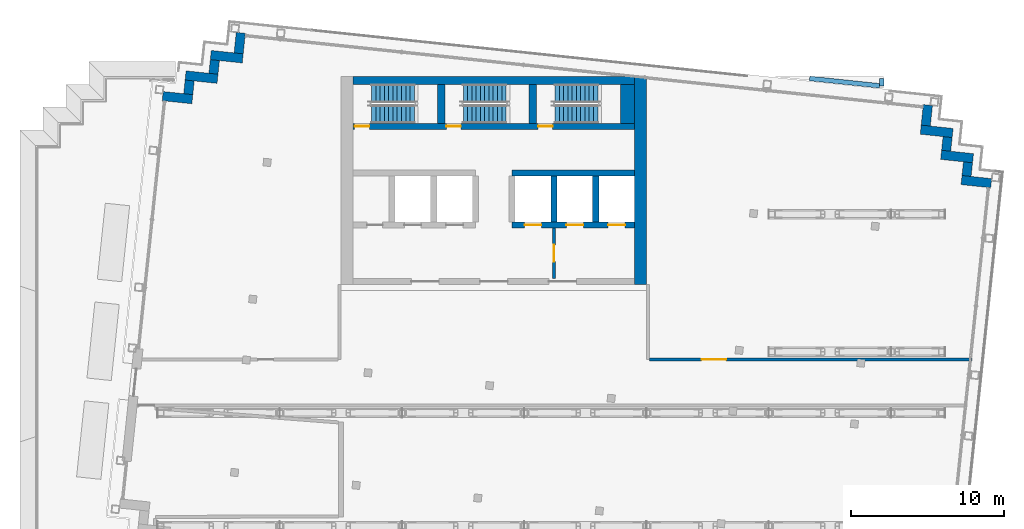
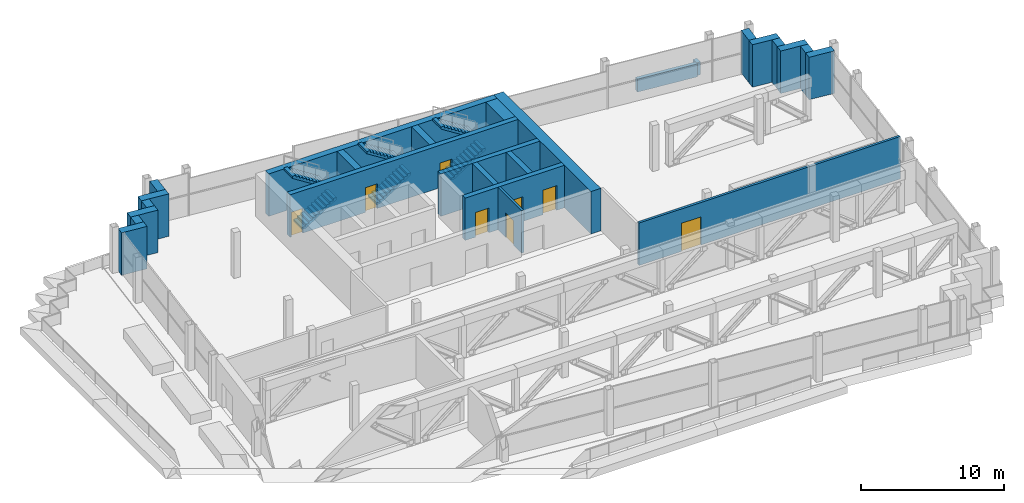
# One storey, part 8 of 18: 26 walls, 8 doors, 6 stair flights, 8 openings, 3 elements without a shape of their own.
"""IFC4 building model written with IfcOpenShell, lengths in metres."""

from ifc_helpers import new_model, si_unit, direction, frame, frame_2d, origin, place, context, subcontext, project, spatial, polyline, rectangle, outline, extrude, material, layer, layer_set, type_object, element, fill, aggregate, save


model = new_model("IFC4")

# Units and contexts
model_context = context("Model", 3, precision=1e-05, world=origin(), true_north=direction((0.0, 1.0)))
body_context = subcontext(model_context, "Body", "Model", "MODEL_VIEW")
ifc_project = project(units=[si_unit("LENGTHUNIT", "METRE"), si_unit("AREAUNIT", "SQUARE_METRE"), si_unit("VOLUMEUNIT", "CUBIC_METRE"), si_unit("PLANEANGLEUNIT", "RADIAN"), si_unit("MASSUNIT", "GRAM", prefix="KILO")], contexts=[model_context])

# Site, building, storey
site_placement = place(None, origin())
site = spatial("IfcSite", under=ifc_project, at=site_placement, CompositionType="ELEMENT")
building_placement = place(site_placement, origin())
building = spatial("IfcBuilding", under=site, at=building_placement, Name="Vidyagriha Tower", CompositionType="ELEMENT")
storey_placement = place(building_placement, frame((0.0, 0.0, 249.199951171875)))
storey = spatial("IfcBuildingStorey", under=building, at=storey_placement, Name="L64", CompositionType="ELEMENT", Elevation=249.199951171875)

# Walls
ifc_material_1 = material(Name="Precast concrete C40/50 with brick facing", Category="concrete")
ifc_layer_1 = layer(ifc_material_1, 0.300048828125)
ifc_layer_set_1 = layer_set([ifc_layer_1], Name="Precast concrete C40/50 with brick facing")
wall_type_1 = type_object("IfcWallType", Name="Brick parapet wall 300", PredefinedType="PARAPET", material=ifc_layer_set_1)
wall_1_placement = place(storey_placement, frame((25.3798828125, 19.8798828125, 0.0), z_axis=(0.0, 0.0, 1.0), x_axis=(0.0, -1.0, 0.0)))
element("IfcWall", 1, at=wall_1_placement, inside=storey, type_object=wall_type_1, Name="Roof parapet TR-B6-2 1.1", PredefinedType="PARAPET", context=body_context, shape_type="SweptSolid", body=[
    extrude(rectangle(XDim=0.495849609375, YDim=0.300048828125, at=frame_2d((0.248046875, 0.0))), origin(), (0.0, 0.0, 1.0), 1.10009765625),
])
wall_2_placement = place(storey_placement, frame((25.230712890625, 19.399658203125, 0.0), z_axis=(0.0, 0.0, 1.0), x_axis=(-0.994523779096, 0.104510539239, 0.0)))
element("IfcWall", 2, at=wall_2_placement, inside=storey, type_object=wall_type_1, Name="Roof parapet TR-B6-2 1.2", PredefinedType="PARAPET", context=body_context, shape_type="SweptSolid", body=[
    extrude(rectangle(XDim=4.594970703125, YDim=0.300048828125, at=frame_2d((2.29736328125, 0.0))), origin(), (0.0, 0.0, 1.0), 1.10009765625),
])
ifc_material_2 = material(Name="Precast concrete C40/50 with brick facing", Category="concrete")
ifc_layer_2 = layer(ifc_material_2, 0.60009765625)
ifc_layer_set_2 = layer_set([ifc_layer_2], Name="Precast concrete C40/50 with brick facing")
wall_type_2 = type_object("IfcWallType", Name="Brick-faced precast wall 600", PredefinedType="STANDARD", material=ifc_layer_set_2)
wall_3_placement = place(storey_placement, frame((32.536376953125, 13.03125, 0.0), z_axis=(0.0, 0.0, 1.0), x_axis=(-0.994534226826, 0.104411070641, 0.0)))
element("IfcWall", 3, at=wall_3_placement, inside=storey, type_object=wall_type_2, Name="Stepped corner wall L64 R01", PredefinedType="STANDARD", context=body_context, shape_type="SweptSolid", body=[
    extrude(rectangle(XDim=1.9501953125, YDim=0.60009765625, at=frame_2d((0.97509765625, 0.0))), origin(), (0.0, 0.0, 1.0), 3.6201171875),
])
wall_4_placement = place(storey_placement, frame((30.9267578125, 13.501953125, 0.0), z_axis=(0.0, 0.0, 1.0), x_axis=(0.104416541099, 0.994533652495, 0.0)))
element("IfcWall", 4, at=wall_4_placement, inside=storey, type_object=wall_type_2, Name="Stepped corner wall L64 R02", PredefinedType="STANDARD", context=body_context, shape_type="SweptSolid", body=[
    extrude(rectangle(XDim=0.900146484375, YDim=0.60009765625, at=frame_2d((0.4501953125, 0.0))), origin(), (0.0, 0.0, 1.0), 3.6201171875),
])
wall_5_placement = place(storey_placement, frame((31.3505859375, 14.6640625, 0.0), z_axis=(0.0, 0.0, 1.0), x_axis=(-0.994523910136, 0.104509292252, 0.0)))
element("IfcWall", 5, at=wall_5_placement, inside=storey, type_object=wall_type_2, Name="Stepped corner wall L64 R03", PredefinedType="STANDARD", context=body_context, shape_type="SweptSolid", body=[
    extrude(rectangle(XDim=2.10009765625, YDim=0.60009765625, at=frame_2d((1.050048828125, 0.0))), origin(), (0.0, 0.0, 1.0), 3.6201171875),
])
wall_6_placement = place(storey_placement, frame((29.591796875, 15.150634765625, 0.0), z_axis=(0.0, 0.0, 1.0), x_axis=(0.104444712852, 0.994530694326, 0.0)))
element("IfcWall", 6, at=wall_6_placement, inside=storey, type_object=wall_type_2, Name="Stepped corner wall L64 R04", PredefinedType="STANDARD", context=body_context, shape_type="SweptSolid", body=[
    extrude(rectangle(XDim=0.89990234375, YDim=0.60009765625, at=frame_2d((0.449951171875, 0.0))), origin(), (0.0, 0.0, 1.0), 3.6201171875),
])
wall_7_placement = place(storey_placement, frame((30.015380859375, 16.3125, 0.0), z_axis=(0.0, 0.0, 1.0), x_axis=(-0.994510548187, 0.104636368175, 0.0)))
element("IfcWall", 7, at=wall_7_placement, inside=storey, type_object=wall_type_2, Name="Stepped corner wall L64 R05", PredefinedType="STANDARD", context=body_context, shape_type="SweptSolid", body=[
    extrude(rectangle(XDim=2.099853515625, YDim=0.60009765625, at=frame_2d((1.0498046875, 0.0))), origin(), (0.0, 0.0, 1.0), 3.6201171875),
])
wall_8_placement = place(storey_placement, frame((28.256591796875, 16.79931640625, 0.0), z_axis=(0.0, 0.0, 1.0), x_axis=(0.104534153452, 0.994521297289, 0.0)))
element("IfcWall", 8, at=wall_8_placement, inside=storey, type_object=wall_type_2, Name="Stepped corner wall L64 R06", PredefinedType="STANDARD", context=body_context, shape_type="SweptSolid", body=[
    extrude(rectangle(XDim=1.349853515625, YDim=0.60009765625, at=frame_2d((0.6748046875, 0.0))), origin(), (0.0, 0.0, 1.0), 3.6201171875),
])
wall_9_placement = place(storey_placement, frame((-16.5546875, 22.866455078125, 0.0), z_axis=(0.0, 0.0, 1.0), x_axis=(-0.104515354875, -0.994523273029, 0.0)))
element("IfcWall", 9, at=wall_9_placement, inside=storey, type_object=wall_type_2, Name="Stepped corner wall L64 R08", PredefinedType="STANDARD", context=body_context, shape_type="SweptSolid", body=[
    extrude(rectangle(XDim=1.35009765625, YDim=0.60009765625, at=frame_2d((0.675048828125, 0.0))), origin(), (0.0, 0.0, 1.0), 3.6201171875),
])
wall_10_placement = place(storey_placement, frame((-16.4287109375, 21.194091796875, 0.0), z_axis=(0.0, 0.0, 1.0), x_axis=(-0.994522640205, 0.104521376379, 0.0)))
element("IfcWall", 10, at=wall_10_placement, inside=storey, type_object=wall_type_2, Name="Stepped corner wall L64 R09", PredefinedType="STANDARD", context=body_context, shape_type="SweptSolid", body=[
    extrude(rectangle(XDim=2.099853515625, YDim=0.60009765625, at=frame_2d((1.0498046875, 0.0))), origin(), (0.0, 0.0, 1.0), 3.6201171875),
])
wall_11_placement = place(storey_placement, frame((-18.250244140625, 21.083984375, 0.0), z_axis=(0.0, 0.0, 1.0), x_axis=(-0.104416541099, -0.994533652495, 0.0)))
element("IfcWall", 11, at=wall_11_placement, inside=storey, type_object=wall_type_2, Name="Stepped corner wall L64 R10", PredefinedType="STANDARD", context=body_context, shape_type="SweptSolid", body=[
    extrude(rectangle(XDim=0.900146484375, YDim=0.60009765625, at=frame_2d((0.4501953125, 0.0))), origin(), (0.0, 0.0, 1.0), 3.6201171875),
])
wall_12_placement = place(storey_placement, frame((-18.077392578125, 19.859130859375, 0.0), z_axis=(0.0, 0.0, 1.0), x_axis=(-0.994522640205, 0.104521376379, 0.0)))
element("IfcWall", 12, at=wall_12_placement, inside=storey, type_object=wall_type_2, Name="Stepped corner wall L64 R11", PredefinedType="STANDARD", context=body_context, shape_type="SweptSolid", body=[
    extrude(rectangle(XDim=2.099853515625, YDim=0.60009765625, at=frame_2d((1.0498046875, 0.0))), origin(), (0.0, 0.0, 1.0), 3.6201171875),
])
wall_13_placement = place(storey_placement, frame((-19.898681640625, 19.748779296875, 0.0), z_axis=(0.0, 0.0, 1.0), x_axis=(-0.104741284723, -0.994499503909, 0.0)))
element("IfcWall", 13, at=wall_13_placement, inside=storey, type_object=wall_type_2, Name="Stepped corner wall L64 R12", PredefinedType="STANDARD", context=body_context, shape_type="SweptSolid", body=[
    extrude(rectangle(XDim=0.899658203125, YDim=0.60009765625, at=frame_2d((0.44970703125, 0.0))), origin(), (0.0, 0.0, 1.0), 3.6201171875),
])
wall_14_placement = place(storey_placement, frame((-19.725830078125, 18.5244140625, 0.0), z_axis=(0.0, 0.0, 1.0), x_axis=(-0.994534226826, 0.104411070641, 0.0)))
element("IfcWall", 14, at=wall_14_placement, inside=storey, type_object=wall_type_2, Name="Stepped corner wall L64 R13", PredefinedType="STANDARD", context=body_context, shape_type="SweptSolid", body=[
    extrude(rectangle(XDim=1.9501953125, YDim=0.60009765625, at=frame_2d((0.97509765625, 0.0))), origin(), (0.0, 0.0, 1.0), 3.6201171875),
])

# Wall, openings, doors
ifc_material_3 = material(Name="Concrete C60/75", Category="concrete")
ifc_layer_3 = layer(ifc_material_3, 0.39990234375)
ifc_layer_set_3 = layer_set([ifc_layer_3], Name="Concrete C60/75")
wall_type_3 = type_object("IfcWallType", Name="Core shear wall 400 mm", PredefinedType="SHEAR", material=ifc_layer_set_3)
wall_15_placement = place(storey_placement, frame((1.199951171875, 10.300048828125, 0.0)))
wall_15 = element("IfcWall", 15, at=wall_15_placement, inside=storey, type_object=wall_type_3, Name="Core row N front wall", PredefinedType="SHEAR", context=body_context, shape_type="SweptSolid", body=[
    extrude(rectangle(XDim=8.0, YDim=0.39990234375, at=frame_2d((4.0, 0.0))), origin(), (0.0, 0.0, 1.0), 3.6201171875),
])
opening_1_placement = place(wall_15_placement, frame((0.816650390625, 0.0, 0.0)))
opening_1 = element("IfcOpeningElement", 16, at=opening_1_placement, cuts=wall_15, Name="Opening LD64-03", PredefinedType="OPENING", context=body_context, shape_type="SweptSolid", body=[
    extrude(rectangle(XDim=1.10009765625, YDim=2.10009765625, at=frame_2d((0.550048828125, 1.050048828125))), frame((0.0, 0.2099609375, 0.0), z_axis=(0.0, -1.0, 0.0), x_axis=(1.0, 0.0, 0.0)), (0.0, 0.0, 1.0), 0.419921875),
])
opening_2_placement = place(wall_15_placement, frame((3.550048828125, 0.0, 0.0)))
opening_2 = element("IfcOpeningElement", 17, at=opening_2_placement, cuts=wall_15, Name="Opening LD64-04", PredefinedType="OPENING", context=body_context, shape_type="SweptSolid", body=[
    extrude(rectangle(XDim=1.10009765625, YDim=2.10009765625, at=frame_2d((0.550048828125, 1.050048828125))), frame((0.0, 0.2099609375, 0.0), z_axis=(0.0, -1.0, 0.0), x_axis=(1.0, 0.0, 0.0)), (0.0, 0.0, 1.0), 0.419921875),
])
opening_3_placement = place(wall_15_placement, frame((6.283203125, 0.0, 0.0)))
opening_3 = element("IfcOpeningElement", 18, at=opening_3_placement, cuts=wall_15, Name="Opening LD64-05", PredefinedType="OPENING", context=body_context, shape_type="SweptSolid", body=[
    extrude(rectangle(XDim=1.10009765625, YDim=2.10009765625, at=frame_2d((0.550048828125, 1.050048828125))), frame((0.0, 0.2099609375, 0.0), z_axis=(0.0, -1.0, 0.0), x_axis=(1.0, 0.0, 0.0)), (0.0, 0.0, 1.0), 0.419921875),
])
ifc_material_4 = material(Name="Stainless steel sliding door panel", Category="steel")
door_type_1 = type_object("IfcDoorType", Name="Lift landing door 1100 x 2100 mm EI 90", OperationType="NOTDEFINED", PredefinedType="DOOR", material=ifc_material_4)
door_1_placement = place(opening_1_placement, origin())
door_1 = element("IfcDoor", 19, at=door_1_placement, inside=storey, type_object=door_type_1, Name="Landing door HR3 L64", OperationType="SLIDING_TO_LEFT", OverallHeight=2.10009765625, OverallWidth=1.10009765625, PredefinedType="DOOR", context=body_context, shape_type="SweptSolid", body=[
    extrude(rectangle(XDim=1.10009765625, YDim=2.10009765625, at=frame_2d((0.550048828125, 1.050048828125))), frame((0.0, 0.02490234375, 0.0), z_axis=(0.0, -1.0, 0.0), x_axis=(1.0, 0.0, 0.0)), (0.0, 0.0, 1.0), 0.050048828125),
])
fill(opening_1, door_1)
door_2_placement = place(opening_2_placement, origin())
door_2 = element("IfcDoor", 20, at=door_2_placement, inside=storey, type_object=door_type_1, Name="Landing door FF1 L64", OperationType="SLIDING_TO_LEFT", OverallHeight=2.10009765625, OverallWidth=1.10009765625, PredefinedType="DOOR", context=body_context, shape_type="SweptSolid", body=[
    extrude(rectangle(XDim=1.10009765625, YDim=2.10009765625, at=frame_2d((0.550048828125, 1.050048828125))), frame((0.0, 0.02490234375, 0.0), z_axis=(0.0, -1.0, 0.0), x_axis=(1.0, 0.0, 0.0)), (0.0, 0.0, 1.0), 0.050048828125),
])
fill(opening_2, door_2)
door_3_placement = place(opening_3_placement, origin())
door_3 = element("IfcDoor", 21, at=door_3_placement, inside=storey, type_object=door_type_1, Name="Landing door FF2 L64", OperationType="SLIDING_TO_LEFT", OverallHeight=2.10009765625, OverallWidth=1.10009765625, PredefinedType="DOOR", context=body_context, shape_type="SweptSolid", body=[
    extrude(rectangle(XDim=1.10009765625, YDim=2.10009765625, at=frame_2d((0.550048828125, 1.050048828125))), frame((0.0, 0.02490234375, 0.0), z_axis=(0.0, -1.0, 0.0), x_axis=(1.0, 0.0, 0.0)), (0.0, 0.0, 1.0), 0.050048828125),
])
fill(opening_3, door_3)

# Walls
wall_16_placement = place(storey_placement, frame((1.199951171875, 13.699951171875, 0.0)))
element("IfcWall", 22, at=wall_16_placement, inside=storey, type_object=wall_type_3, Name="Core row N rear wall", PredefinedType="SHEAR", context=body_context, shape_type="SweptSolid", body=[
    extrude(rectangle(XDim=8.0, YDim=0.39990234375, at=frame_2d((4.0, 0.0))), origin(), (0.0, 0.0, 1.0), 3.6201171875),
])
for number, where, z_axis, x_axis, name in (
    (23, (3.933349609375, 10.5, 0.0), (0.0, 0.0, 1.0), (0.0, 1.0, 0.0), "Core bay wall N5"),
    (24, (6.666748046875, 10.5, 0.0), (0.0, 0.0, 1.0), (0.0, 1.0, 0.0), "Core bay wall N6"),
):
    element("IfcWall", number, at=place(storey_placement, frame(where, z_axis=z_axis, x_axis=x_axis)), inside=storey, type_object=wall_type_3, Name=name, PredefinedType="SHEAR", context=body_context, shape_type="SweptSolid", body=[
        extrude(rectangle(XDim=3.0, YDim=0.39990234375, at=frame_2d((1.5, 0.0))), origin(), (0.0, 0.0, 1.0), 3.6201171875),
    ])

# Wall, openings, doors
wall_17_placement = place(storey_placement, frame((-9.199951171875, 16.75, 0.0)))
wall_17 = element("IfcWall", 25, at=wall_17_placement, inside=storey, type_object=wall_type_3, Name="Stair front wall", PredefinedType="SHEAR", context=body_context, shape_type="SweptSolid", body=[
    extrude(rectangle(XDim=18.39990234375, YDim=0.39990234375, at=frame_2d((9.199951171875, 0.0))), origin(), (0.0, 0.0, 1.0), 3.6201171875),
])
opening_4_placement = place(wall_17_placement, frame((0.10009765625, 0.0, 0.0)))
opening_4 = element("IfcOpeningElement", 26, at=opening_4_placement, cuts=wall_17, Name="Opening D64-07", PredefinedType="OPENING", context=body_context, shape_type="SweptSolid", body=[
    extrude(rectangle(XDim=0.949951171875, YDim=2.10009765625, at=frame_2d((0.47509765625, 1.050048828125))), frame((0.0, 0.2099609375, 0.0), z_axis=(0.0, -1.0, 0.0), x_axis=(1.0, 0.0, 0.0)), (0.0, 0.0, 1.0), 0.419921875),
])
opening_5_placement = place(wall_17_placement, frame((6.10009765625, 0.0, 0.0)))
opening_5 = element("IfcOpeningElement", 27, at=opening_5_placement, cuts=wall_17, Name="Opening D64-08", PredefinedType="OPENING", context=body_context, shape_type="SweptSolid", body=[
    extrude(rectangle(XDim=0.949951171875, YDim=2.10009765625, at=frame_2d((0.47509765625, 1.050048828125))), frame((0.0, 0.2099609375, 0.0), z_axis=(0.0, -1.0, 0.0), x_axis=(1.0, 0.0, 0.0)), (0.0, 0.0, 1.0), 0.419921875),
])
opening_6_placement = place(wall_17_placement, frame((12.10009765625, 0.0, 0.0)))
opening_6 = element("IfcOpeningElement", 28, at=opening_6_placement, cuts=wall_17, Name="Opening D64-09", PredefinedType="OPENING", context=body_context, shape_type="SweptSolid", body=[
    extrude(rectangle(XDim=0.949951171875, YDim=2.10009765625, at=frame_2d((0.47509765625, 1.050048828125))), frame((0.0, 0.2099609375, 0.0), z_axis=(0.0, -1.0, 0.0), x_axis=(1.0, 0.0, 0.0)), (0.0, 0.0, 1.0), 0.419921875),
])
ifc_material_5 = material(Name="Hollow metal door leaf")
door_type_2 = type_object("IfcDoorType", Name="Exit stair door 950 x 2100 mm EI 90", OperationType="NOTDEFINED", PredefinedType="DOOR", material=ifc_material_5)
door_4_placement = place(opening_4_placement, origin())
door_4 = element("IfcDoor", 29, at=door_4_placement, inside=storey, type_object=door_type_2, Name="Stair door ST1 L64", OperationType="SINGLE_SWING_LEFT", OverallHeight=2.10009765625, OverallWidth=0.949951171875, PredefinedType="DOOR", context=body_context, shape_type="SweptSolid", body=[
    extrude(rectangle(XDim=0.949951171875, YDim=2.10009765625, at=frame_2d((0.47509765625, 1.050048828125))), frame((0.0, 0.02490234375, 0.0), z_axis=(0.0, -1.0, 0.0), x_axis=(1.0, 0.0, 0.0)), (0.0, 0.0, 1.0), 0.050048828125),
])
fill(opening_4, door_4)
door_5_placement = place(opening_5_placement, origin())
door_5 = element("IfcDoor", 30, at=door_5_placement, inside=storey, type_object=door_type_2, Name="Stair door ST2 L64", OperationType="SINGLE_SWING_LEFT", OverallHeight=2.10009765625, OverallWidth=0.949951171875, PredefinedType="DOOR", context=body_context, shape_type="SweptSolid", body=[
    extrude(rectangle(XDim=0.949951171875, YDim=2.10009765625, at=frame_2d((0.47509765625, 1.050048828125))), frame((0.0, 0.02490234375, 0.0), z_axis=(0.0, -1.0, 0.0), x_axis=(1.0, 0.0, 0.0)), (0.0, 0.0, 1.0), 0.050048828125),
])
fill(opening_5, door_5)
door_6_placement = place(opening_6_placement, origin())
door_6 = element("IfcDoor", 31, at=door_6_placement, inside=storey, type_object=door_type_2, Name="Stair door ST3 L64", OperationType="SINGLE_SWING_LEFT", OverallHeight=2.10009765625, OverallWidth=0.949951171875, PredefinedType="DOOR", context=body_context, shape_type="SweptSolid", body=[
    extrude(rectangle(XDim=0.949951171875, YDim=2.10009765625, at=frame_2d((0.47509765625, 1.050048828125))), frame((0.0, 0.02490234375, 0.0), z_axis=(0.0, -1.0, 0.0), x_axis=(1.0, 0.0, 0.0)), (0.0, 0.0, 1.0), 0.050048828125),
])
fill(opening_6, door_6)

# Walls
ifc_material_6 = material(Name="Concrete C60/75", Category="concrete")
ifc_layer_4 = layer(ifc_material_6, 0.5)
ifc_layer_set_4 = layer_set([ifc_layer_4], Name="Concrete C60/75")
wall_type_4 = type_object("IfcWallType", Name="Core shear wall 500 mm", PredefinedType="SHEAR", material=ifc_layer_set_4)
wall_18_placement = place(storey_placement, frame((-9.199951171875, 19.75, 0.0)))
element("IfcWall", 32, at=wall_18_placement, inside=storey, type_object=wall_type_4, Name="Core north wall", PredefinedType="SHEAR", context=body_context, shape_type="SweptSolid", body=[
    extrude(rectangle(XDim=18.39990234375, YDim=0.5, at=frame_2d((9.199951171875, 0.0))), origin(), (0.0, 0.0, 1.0), 3.6201171875),
])
for number, where, z_axis, x_axis, name in (
    (33, (-3.449951171875, 16.949951171875, 0.0), (0.0, 0.0, 1.0), (0.0, 1.0, 0.0), "Stair partition wall 1"),
    (34, (2.550048828125, 16.949951171875, 0.0), (0.0, 0.0, 1.0), (0.0, 1.0, 0.0), "Stair partition wall 2"),
):
    element("IfcWall", number, at=place(storey_placement, frame(where, z_axis=z_axis, x_axis=x_axis)), inside=storey, type_object=wall_type_4, Name=name, PredefinedType="SHEAR", context=body_context, shape_type="SweptSolid", body=[
        extrude(rectangle(XDim=2.550048828125, YDim=0.5, at=frame_2d((1.27490234375, 0.0))), origin(), (0.0, 0.0, 1.0), 3.6201171875),
    ])
ifc_material_7 = material(Name="Concrete C60/75", Category="concrete")
ifc_layer_5 = layer(ifc_material_7, 0.800048828125)
ifc_layer_set_5 = layer_set([ifc_layer_5], Name="Concrete C60/75")
wall_type_5 = type_object("IfcWallType", Name="Core shear wall 800 mm", PredefinedType="SHEAR", material=ifc_layer_set_5)
wall_19_placement = place(storey_placement, frame((9.60009765625, 6.39990234375, 0.0), z_axis=(0.0, 0.0, 1.0), x_axis=(0.0, 1.0, 0.0)))
element("IfcWall", 35, at=wall_19_placement, inside=storey, type_object=wall_type_5, Name="Core east wall", PredefinedType="SHEAR", context=body_context, shape_type="SweptSolid", body=[
    extrude(rectangle(XDim=13.60009765625, YDim=0.800048828125, at=frame_2d((6.800048828125, 0.0))), origin(), (0.0, 0.0, 1.0), 3.6201171875),
])
ifc_material_8 = material(Name="Concrete C60/75", Category="concrete")
ifc_layer_6 = layer(ifc_material_8, 0.89990234375)
ifc_layer_set_6 = layer_set([ifc_layer_6], Name="Concrete C60/75")
wall_type_6 = type_object("IfcWallType", Name="Core shear wall 900 mm", PredefinedType="SHEAR", material=ifc_layer_set_6)
wall_20_placement = place(storey_placement, frame((8.75, 16.949951171875, 0.0), z_axis=(0.0, 0.0, 1.0), x_axis=(0.0, 1.0, 0.0)))
element("IfcWall", 36, at=wall_20_placement, inside=storey, type_object=wall_type_6, Name="Stair end wall", PredefinedType="SHEAR", context=body_context, shape_type="SweptSolid", body=[
    extrude(rectangle(XDim=2.550048828125, YDim=0.89990234375, at=frame_2d((1.27490234375, 0.0))), origin(), (0.0, 0.0, 1.0), 3.6201171875),
])

# Wall, opening, door
ifc_material_9 = material(Name="Blockwork 15 MPa", Category="masonry")
ifc_layer_7 = layer(ifc_material_9, 0.199951171875)
ifc_layer_set_7 = layer_set([ifc_layer_7], Name="Blockwork 15 MPa")
wall_type_7 = type_object("IfcWallType", Name="Service room partition 200 mm", PredefinedType="PARTITIONING", material=ifc_layer_set_7)
wall_21_placement = place(storey_placement, frame((3.933349609375, 6.800048828125, 0.0), z_axis=(0.0, 0.0, 1.0), x_axis=(0.0, 1.0, 0.0)))
wall_21 = element("IfcWall", 37, at=wall_21_placement, inside=storey, type_object=wall_type_7, Name="Fire-fighting lobby west wall", PredefinedType="PARTITIONING", context=body_context, shape_type="SweptSolid", body=[
    extrude(rectangle(XDim=3.300048828125, YDim=0.199951171875, at=frame_2d((1.64990234375, 0.0))), origin(), (0.0, 0.0, 1.0), 3.6201171875),
])
opening_7_placement = place(wall_21_placement, frame((1.10009765625, 0.0, 0.0)))
opening_7 = element("IfcOpeningElement", 38, at=opening_7_placement, cuts=wall_21, Name="Opening D64-06", PredefinedType="OPENING", context=body_context, shape_type="SweptSolid", body=[
    extrude(rectangle(XDim=1.10009765625, YDim=2.10009765625, at=frame_2d((0.550048828125, 1.050048828125))), frame((0.0, 0.10986328125, 0.0), z_axis=(0.0, -1.0, 0.0), x_axis=(1.0, 0.0, 0.0)), (0.0, 0.0, 1.0), 0.219970703125),
])
ifc_material_10 = material(Name="Hollow metal door leaf")
door_type_3 = type_object("IfcDoorType", Name="Fire-fighting lobby door 1100 x 2100 mm EI 90", OperationType="NOTDEFINED", PredefinedType="DOOR", material=ifc_material_10)
door_7_placement = place(opening_7_placement, origin())
door_7 = element("IfcDoor", 39, at=door_7_placement, inside=storey, type_object=door_type_3, Name="Fire-fighting lobby door L64", OperationType="SINGLE_SWING_RIGHT", OverallHeight=2.10009765625, OverallWidth=1.10009765625, PredefinedType="DOOR", context=body_context, shape_type="SweptSolid", body=[
    extrude(rectangle(XDim=1.10009765625, YDim=2.10009765625, at=frame_2d((0.550048828125, 1.050048828125))), frame((0.0, 0.02490234375, 0.0), z_axis=(0.0, -1.0, 0.0), x_axis=(1.0, 0.0, 0.0)), (0.0, 0.0, 1.0), 0.050048828125),
])
fill(opening_7, door_7)

wall_22_placement = place(storey_placement, frame((10.199951171875, 1.5, 0.0)))
wall_22 = element("IfcWall", 40, at=wall_22_placement, inside=storey, type_object=wall_type_7, Name="Plant corridor north wall east", PredefinedType="PARTITIONING", context=body_context, shape_type="SweptSolid", body=[
    extrude(rectangle(XDim=21.073974609375, YDim=0.199951171875, at=frame_2d((10.537109375, 0.0))), origin(), (0.0, 0.0, 1.0), 3.6201171875),
])
opening_8_placement = place(wall_22_placement, frame((3.39990234375, 0.0, 0.0)))
opening_8 = element("IfcOpeningElement", 41, at=opening_8_placement, cuts=wall_22, Name="Opening D64-12", PredefinedType="OPENING", context=body_context, shape_type="SweptSolid", body=[
    extrude(rectangle(XDim=1.60009765625, YDim=2.39990234375, at=frame_2d((0.800048828125, 1.199951171875))), frame((0.0, 0.10986328125, 0.0), z_axis=(0.0, -1.0, 0.0), x_axis=(1.0, 0.0, 0.0)), (0.0, 0.0, 1.0), 0.219970703125),
])
ifc_material_11 = material(Name="Hollow metal door leaf")
door_type_4 = type_object("IfcDoorType", Name="Plant room double door 1600 x 2400 mm EI 90", OperationType="NOTDEFINED", PredefinedType="DOOR", material=ifc_material_11)
door_8_placement = place(opening_8_placement, frame((1.60009765625, 0.0, 0.0), z_axis=(0.0, 0.0, 1.0), x_axis=(-1.0, 0.0, 0.0)))
door_8 = element("IfcDoor", 42, at=door_8_placement, inside=storey, type_object=door_type_4, Name="Door Smoke Extract Plant Room 64.E1", OperationType="DOUBLE_DOOR_SINGLE_SWING", OverallHeight=2.39990234375, OverallWidth=1.60009765625, PredefinedType="DOOR", context=body_context, shape_type="SweptSolid", body=[
    extrude(rectangle(XDim=1.60009765625, YDim=2.39990234375, at=frame_2d((0.800048828125, 1.199951171875))), frame((0.0, 0.02490234375, 0.0), z_axis=(0.0, -1.0, 0.0), x_axis=(1.0, 0.0, 0.0)), (0.0, 0.0, 1.0), 0.050048828125),
])
fill(opening_8, door_8)

# Stair, stair flights
ifc_material_12 = material(Name="Concrete C40/50", Category="concrete")
stair_type = type_object("IfcStairType", Name="Exit stair, half-turn, precast flights", PredefinedType="HALF_TURN_STAIR", material=ifc_material_12)
stair_1_placement = place(storey_placement, origin())
stair_1 = element("IfcStair", 43, at=stair_1_placement, inside=storey, type_object=stair_type, Name="L64 Exit Stair ST1", PredefinedType="HALF_TURN_STAIR")
ifc_material_13 = material(Name="Precast concrete C40/50", Category="concrete")
stair_flight_type = type_object("IfcStairFlightType", Name="Exit stair flight 1200 mm, precast", PredefinedType="STRAIGHT", material=ifc_material_13)
stair_flight_1_placement = place(storey_placement, frame((-8.0, 17.550048828125, 0.0)))
stair_flight_1 = element("IfcStairFlight", 44, at=stair_flight_1_placement, type_object=stair_flight_type, Name="ST1 flight 1", NumberOfRisers=11, NumberOfTreads=10, PredefinedType="STRAIGHT", RiserHeight=0.177272727, TreadLength=0.28, context=body_context, shape_type="SweptSolid", body=[
    extrude(outline(polyline([(0.0, 0.0), (0.0, 0.17724609375), (0.280029296875, 0.17724609375), (0.280029296875, 0.3544921875), (0.56005859375, 0.3544921875), (0.56005859375, 0.53173828125), (0.840087890625, 0.53173828125), (0.840087890625, 0.708984375), (1.1201171875, 0.708984375), (1.1201171875, 0.886474609375), (1.39990234375, 0.886474609375), (1.39990234375, 1.063720703125), (1.679931640625, 1.063720703125), (1.679931640625, 1.240966796875), (1.9599609375, 1.240966796875), (1.9599609375, 1.418212890625), (2.239990234375, 1.418212890625), (2.239990234375, 1.595458984375), (2.52001953125, 1.595458984375), (2.52001953125, 1.772705078125), (2.800048828125, 1.772705078125), (2.800048828125, 1.949951171875), (2.800048828125, 1.59521484375), (0.2802734375, 0.0), (0.0, 0.0)])), frame((0.0, 0.60009765625, 0.0), z_axis=(0.0, -1.0, 0.0), x_axis=(1.0, 0.0, 0.0)), (0.0, 0.0, 1.0), 1.199951171875),
])
stair_flight_2_placement = place(storey_placement, frame((-5.199951171875, 18.89990234375, 1.949951171875), z_axis=(0.0, 0.0, 1.0), x_axis=(-1.0, 0.0, 0.0)))
stair_flight_2 = element("IfcStairFlight", 45, at=stair_flight_2_placement, type_object=stair_flight_type, Name="ST1 flight 2", NumberOfRisers=11, NumberOfTreads=10, PredefinedType="STRAIGHT", RiserHeight=0.177272727, TreadLength=0.28, context=body_context, shape_type="SweptSolid", body=[
    extrude(outline(polyline([(0.0, 0.0), (0.0, 0.17724609375), (0.280029296875, 0.17724609375), (0.280029296875, 0.3544921875), (0.56005859375, 0.3544921875), (0.56005859375, 0.53173828125), (0.840087890625, 0.53173828125), (0.840087890625, 0.708984375), (1.1201171875, 0.708984375), (1.1201171875, 0.886474609375), (1.39990234375, 0.886474609375), (1.39990234375, 1.063720703125), (1.679931640625, 1.063720703125), (1.679931640625, 1.240966796875), (1.9599609375, 1.240966796875), (1.9599609375, 1.418212890625), (2.239990234375, 1.418212890625), (2.239990234375, 1.595458984375), (2.52001953125, 1.595458984375), (2.52001953125, 1.772705078125), (2.800048828125, 1.772705078125), (2.800048828125, 1.949951171875), (2.800048828125, 1.59521484375), (0.2802734375, 0.0), (0.0, 0.0)])), frame((0.0, 0.60009765625, 0.0), z_axis=(0.0, -1.0, 0.0), x_axis=(1.0, 0.0, 0.0)), (0.0, 0.0, 1.0), 1.199951171875),
])
aggregate(stair_1, [stair_flight_1, stair_flight_2])

stair_2_placement = place(storey_placement, origin())
stair_2 = element("IfcStair", 46, at=stair_2_placement, inside=storey, type_object=stair_type, Name="L64 Exit Stair ST2", PredefinedType="HALF_TURN_STAIR")
stair_flight_3_placement = place(storey_placement, frame((-2.0, 17.550048828125, 0.0)))
stair_flight_3 = element("IfcStairFlight", 47, at=stair_flight_3_placement, type_object=stair_flight_type, Name="ST2 flight 1", NumberOfRisers=11, NumberOfTreads=10, PredefinedType="STRAIGHT", RiserHeight=0.177272727, TreadLength=0.28, context=body_context, shape_type="SweptSolid", body=[
    extrude(outline(polyline([(0.0, 0.0), (0.0, 0.17724609375), (0.280029296875, 0.17724609375), (0.280029296875, 0.3544921875), (0.56005859375, 0.3544921875), (0.56005859375, 0.53173828125), (0.840087890625, 0.53173828125), (0.840087890625, 0.708984375), (1.1201171875, 0.708984375), (1.1201171875, 0.886474609375), (1.39990234375, 0.886474609375), (1.39990234375, 1.063720703125), (1.679931640625, 1.063720703125), (1.679931640625, 1.240966796875), (1.9599609375, 1.240966796875), (1.9599609375, 1.418212890625), (2.239990234375, 1.418212890625), (2.239990234375, 1.595458984375), (2.52001953125, 1.595458984375), (2.52001953125, 1.772705078125), (2.800048828125, 1.772705078125), (2.800048828125, 1.949951171875), (2.800048828125, 1.59521484375), (0.2802734375, 0.0), (0.0, 0.0)])), frame((0.0, 0.60009765625, 0.0), z_axis=(0.0, -1.0, 0.0), x_axis=(1.0, 0.0, 0.0)), (0.0, 0.0, 1.0), 1.199951171875),
])
stair_flight_4_placement = place(storey_placement, frame((0.800048828125, 18.89990234375, 1.949951171875), z_axis=(0.0, 0.0, 1.0), x_axis=(-1.0, 0.0, 0.0)))
stair_flight_4 = element("IfcStairFlight", 48, at=stair_flight_4_placement, type_object=stair_flight_type, Name="ST2 flight 2", NumberOfRisers=11, NumberOfTreads=10, PredefinedType="STRAIGHT", RiserHeight=0.177272727, TreadLength=0.28, context=body_context, shape_type="SweptSolid", body=[
    extrude(outline(polyline([(0.0, 0.0), (0.0, 0.17724609375), (0.280029296875, 0.17724609375), (0.280029296875, 0.3544921875), (0.56005859375, 0.3544921875), (0.56005859375, 0.53173828125), (0.840087890625, 0.53173828125), (0.840087890625, 0.708984375), (1.1201171875, 0.708984375), (1.1201171875, 0.886474609375), (1.39990234375, 0.886474609375), (1.39990234375, 1.063720703125), (1.679931640625, 1.063720703125), (1.679931640625, 1.240966796875), (1.9599609375, 1.240966796875), (1.9599609375, 1.418212890625), (2.239990234375, 1.418212890625), (2.239990234375, 1.595458984375), (2.52001953125, 1.595458984375), (2.52001953125, 1.772705078125), (2.800048828125, 1.772705078125), (2.800048828125, 1.949951171875), (2.800048828125, 1.59521484375), (0.2802734375, 0.0), (0.0, 0.0)])), frame((0.0, 0.60009765625, 0.0), z_axis=(0.0, -1.0, 0.0), x_axis=(1.0, 0.0, 0.0)), (0.0, 0.0, 1.0), 1.199951171875),
])
aggregate(stair_2, [stair_flight_3, stair_flight_4])

stair_3_placement = place(storey_placement, origin())
stair_3 = element("IfcStair", 49, at=stair_3_placement, inside=storey, type_object=stair_type, Name="L64 Exit Stair ST3", PredefinedType="HALF_TURN_STAIR")
stair_flight_5_placement = place(storey_placement, frame((4.0, 17.550048828125, 0.0)))
stair_flight_5 = element("IfcStairFlight", 50, at=stair_flight_5_placement, type_object=stair_flight_type, Name="ST3 flight 1", NumberOfRisers=11, NumberOfTreads=10, PredefinedType="STRAIGHT", RiserHeight=0.177272727, TreadLength=0.28, context=body_context, shape_type="SweptSolid", body=[
    extrude(outline(polyline([(0.0, 0.0), (0.0, 0.17724609375), (0.280029296875, 0.17724609375), (0.280029296875, 0.3544921875), (0.56005859375, 0.3544921875), (0.56005859375, 0.53173828125), (0.840087890625, 0.53173828125), (0.840087890625, 0.708984375), (1.1201171875, 0.708984375), (1.1201171875, 0.886474609375), (1.39990234375, 0.886474609375), (1.39990234375, 1.063720703125), (1.679931640625, 1.063720703125), (1.679931640625, 1.240966796875), (1.9599609375, 1.240966796875), (1.9599609375, 1.418212890625), (2.239990234375, 1.418212890625), (2.239990234375, 1.595458984375), (2.52001953125, 1.595458984375), (2.52001953125, 1.772705078125), (2.800048828125, 1.772705078125), (2.800048828125, 1.949951171875), (2.800048828125, 1.59521484375), (0.2802734375, 0.0), (0.0, 0.0)])), frame((0.0, 0.60009765625, 0.0), z_axis=(0.0, -1.0, 0.0), x_axis=(1.0, 0.0, 0.0)), (0.0, 0.0, 1.0), 1.199951171875),
])
stair_flight_6_placement = place(storey_placement, frame((6.800048828125, 18.89990234375, 1.949951171875), z_axis=(0.0, 0.0, 1.0), x_axis=(-1.0, 0.0, 0.0)))
stair_flight_6 = element("IfcStairFlight", 51, at=stair_flight_6_placement, type_object=stair_flight_type, Name="ST3 flight 2", NumberOfRisers=11, NumberOfTreads=10, PredefinedType="STRAIGHT", RiserHeight=0.177272727, TreadLength=0.28, context=body_context, shape_type="SweptSolid", body=[
    extrude(outline(polyline([(0.0, 0.0), (0.0, 0.17724609375), (0.280029296875, 0.17724609375), (0.280029296875, 0.3544921875), (0.56005859375, 0.3544921875), (0.56005859375, 0.53173828125), (0.840087890625, 0.53173828125), (0.840087890625, 0.708984375), (1.1201171875, 0.708984375), (1.1201171875, 0.886474609375), (1.39990234375, 0.886474609375), (1.39990234375, 1.063720703125), (1.679931640625, 1.063720703125), (1.679931640625, 1.240966796875), (1.9599609375, 1.240966796875), (1.9599609375, 1.418212890625), (2.239990234375, 1.418212890625), (2.239990234375, 1.595458984375), (2.52001953125, 1.595458984375), (2.52001953125, 1.772705078125), (2.800048828125, 1.772705078125), (2.800048828125, 1.949951171875), (2.800048828125, 1.59521484375), (0.2802734375, 0.0), (0.0, 0.0)])), frame((0.0, 0.60009765625, 0.0), z_axis=(0.0, -1.0, 0.0), x_axis=(1.0, 0.0, 0.0)), (0.0, 0.0, 1.0), 1.199951171875),
])
aggregate(stair_3, [stair_flight_5, stair_flight_6])

save(model, "model.ifc")
